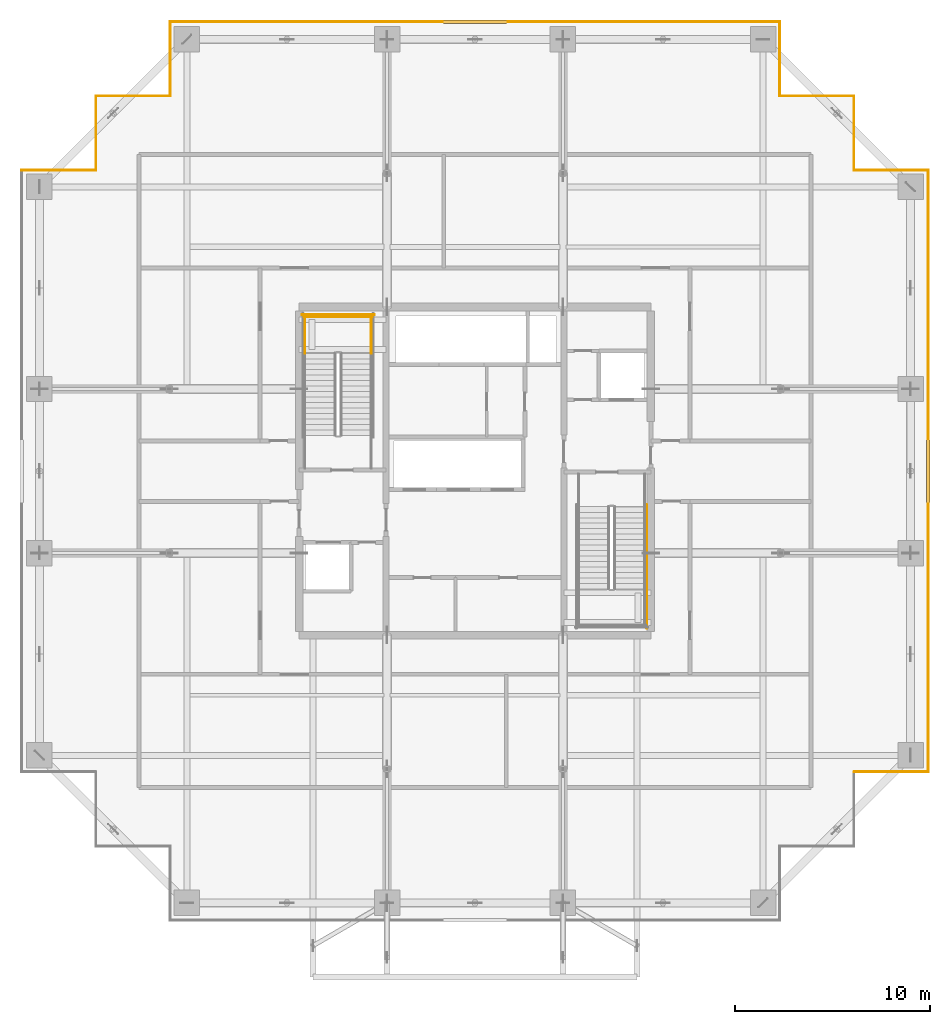
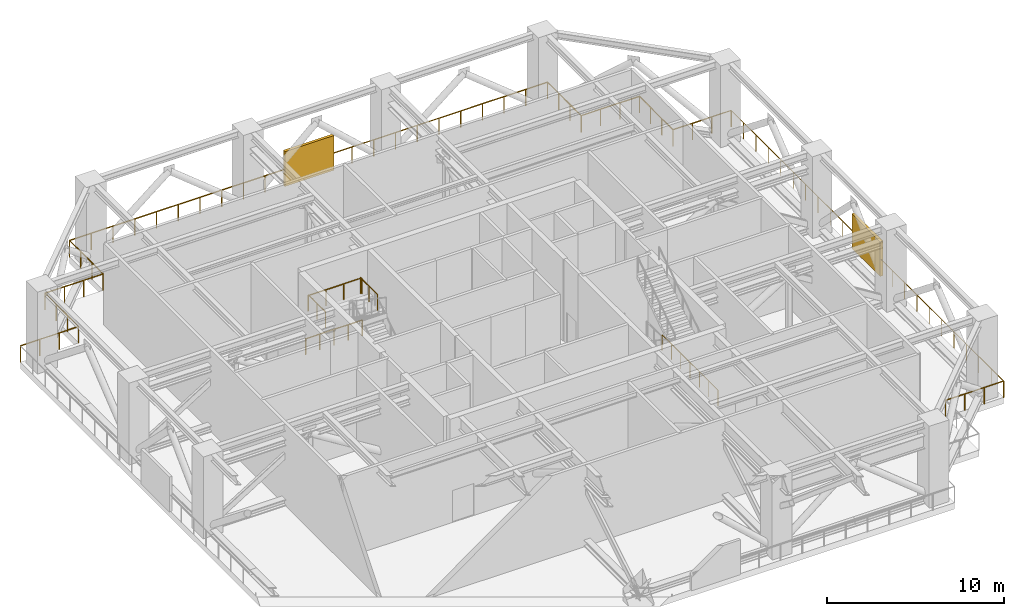
# One storey, part 22 of 22: 16 railings, 2 shading devices.
"""IFC4 building model written with IfcOpenShell, lengths in metres."""

from ifc_helpers import new_model, si_unit, direction, frame, origin, origin_2d, place, context, subcontext, project, spatial, rectangle, circle, extrude, source, transform, mapped, material, type_object, element, save


model = new_model("IFC4")

# Units and contexts
model_context = context("Model", 3, precision=1e-05, world=origin(), true_north=direction((0.0, 1.0)))
body_context = subcontext(model_context, "Body", "Model", "MODEL_VIEW")
ifc_project = project(units=[si_unit("LENGTHUNIT", "METRE"), si_unit("AREAUNIT", "SQUARE_METRE"), si_unit("VOLUMEUNIT", "CUBIC_METRE"), si_unit("PLANEANGLEUNIT", "RADIAN"), si_unit("MASSUNIT", "GRAM", prefix="KILO")], contexts=[model_context])

# Site, building, storey
site_placement = place(None, origin())
site = spatial("IfcSite", under=ifc_project, at=site_placement, CompositionType="ELEMENT")
building_placement = place(site_placement, origin())
building = spatial("IfcBuilding", under=site, at=building_placement, Name="Serunith Strait Residences", CompositionType="ELEMENT")
storey_placement = place(building_placement, frame((0.0, 0.0, 198.89990234375)))
storey = spatial("IfcBuildingStorey", under=building, at=storey_placement, Name="L50", CompositionType="ELEMENT", Elevation=198.89990234375)

# Railings
ifc_material_1 = material(Name="Brushed stainless steel 316L", Category="steel")
railing_type_1 = type_object("IfcRailingType", Name="RLG-STAIR-GUARD", PredefinedType="BALUSTRADE", material=ifc_material_1)
for number, where, name in (
    (1, (27.10009765625, 31.22998046875, 3.0), "L50 ST-1 stair guard 3"),
    (2, (23.699951171875, 31.22998046875, 3.0), "L50 ST-1 stair guard 4"),
):
    element("IfcRailing", number, at=place(storey_placement, frame(where)), inside=storey, type_object=railing_type_1, Name=name, PredefinedType="BALUSTRADE", context=body_context, shape_type="SweptSolid", body=[
        extrude(circle(Radius=0.02392578125, at=origin_2d()), frame((0.0, 0.001953125, 1.076171875), z_axis=(0.0, 1.0, 0.0), x_axis=(-1.0, 0.0, 0.0)), (0.0, 0.0, 1.0), 1.916015625),
        extrude(circle(Radius=0.02099609375, at=origin_2d()), origin(), (0.0, 0.0, 1.0), 1.050048828125),
        extrude(circle(Radius=0.02099609375, at=origin_2d()), frame((0.0, 0.9599609375, 0.0)), (0.0, 0.0, 1.0), 1.050048828125),
        extrude(circle(Radius=0.02099609375, at=origin_2d()), frame((0.0, 1.919921875, 0.0)), (0.0, 0.0, 1.0), 1.050048828125),
    ])
railing_1_placement = place(storey_placement, frame((27.14990234375, 33.10009765625, 3.0)))
element("IfcRailing", 3, at=railing_1_placement, inside=storey, type_object=railing_type_1, Name="L50 ST-1 stair guard 5", PredefinedType="BALUSTRADE", context=body_context, shape_type="SweptSolid", body=[
    extrude(circle(Radius=0.02392578125, at=origin_2d()), frame((-0.001953125, 0.0, 1.076171875), z_axis=(-1.0, 0.0, 0.0), x_axis=(0.0, -1.0, 0.0)), (0.0, 0.0, 1.0), 3.49609375),
    extrude(circle(Radius=0.02099609375, at=origin_2d()), origin(), (0.0, 0.0, 1.0), 1.050048828125),
    extrude(circle(Radius=0.02099609375, at=origin_2d()), frame((-1.166748046875, 0.0, 0.0)), (0.0, 0.0, 1.0), 1.050048828125),
    extrude(circle(Radius=0.02099609375, at=origin_2d()), frame((-2.333251953125, 0.0, 0.0)), (0.0, 0.0, 1.0), 1.050048828125),
    extrude(circle(Radius=0.02099609375, at=origin_2d()), frame((-3.5, 0.0, 0.0)), (0.0, 0.0, 1.0), 1.050048828125),
])
railing_2_placement = place(storey_placement, frame((27.25, 33.199951171875, 0.0)))
element("IfcRailing", 4, at=railing_2_placement, inside=storey, type_object=railing_type_1, Name="L50 ST-1 stair guard 12", PredefinedType="BALUSTRADE", context=body_context, shape_type="SweptSolid", body=[
    extrude(circle(Radius=0.02392578125, at=origin_2d()), frame((-0.001953125, 0.0, 1.076171875), z_axis=(-1.0, 0.0, 0.0), x_axis=(0.0, -1.0, 0.0)), (0.0, 0.0, 1.0), 3.696044921875),
    extrude(circle(Radius=0.02099609375, at=origin_2d()), origin(), (0.0, 0.0, 1.0), 1.050048828125),
    extrude(circle(Radius=0.02099609375, at=origin_2d()), frame((-0.925048828125, 0.0, 0.0)), (0.0, 0.0, 1.0), 1.050048828125),
    extrude(circle(Radius=0.02099609375, at=origin_2d()), frame((-1.85009765625, 0.0, 0.0)), (0.0, 0.0, 1.0), 1.050048828125),
    extrude(circle(Radius=0.02099609375, at=origin_2d()), frame((-2.77490234375, 0.0, 0.0)), (0.0, 0.0, 1.0), 1.050048828125),
    extrude(circle(Radius=0.02099609375, at=origin_2d()), frame((-3.699951171875, 0.0, 0.0)), (0.0, 0.0, 1.0), 1.050048828125),
])
railing_3_placement = place(storey_placement, frame((41.199951171875, 23.469970703125, 0.0)))
element("IfcRailing", 5, at=railing_3_placement, inside=storey, type_object=railing_type_1, Name="L50 ST-2 stair guard 11", PredefinedType="BALUSTRADE", context=body_context, shape_type="SweptSolid", body=[
    extrude(circle(Radius=0.02392578125, at=origin_2d()), frame((0.0, -0.001953125, 1.076171875), z_axis=(0.0, -1.0, 0.0), x_axis=(1.0, 0.0, 0.0)), (0.0, 0.0, 1.0), 6.316162109375),
    extrude(circle(Radius=0.02099609375, at=origin_2d()), origin(), (0.0, 0.0, 1.0), 1.050048828125),
    extrude(circle(Radius=0.02099609375, at=origin_2d()), frame((0.0, -1.05322265625, 0.0)), (0.0, 0.0, 1.0), 1.050048828125),
    extrude(circle(Radius=0.02099609375, at=origin_2d()), frame((0.0, -2.106689453125, 0.0)), (0.0, 0.0, 1.0), 1.050048828125),
    extrude(circle(Radius=0.02099609375, at=origin_2d()), frame((0.0, -3.16015625, 0.0)), (0.0, 0.0, 1.0), 1.050048828125),
    extrude(circle(Radius=0.02099609375, at=origin_2d()), frame((0.0, -4.21337890625, 0.0)), (0.0, 0.0, 1.0), 1.050048828125),
    extrude(circle(Radius=0.02099609375, at=origin_2d()), frame((0.0, -5.2666015625, 0.0)), (0.0, 0.0, 1.0), 1.050048828125),
    extrude(circle(Radius=0.02099609375, at=origin_2d()), frame((0.0, -6.320068359375, 0.0)), (0.0, 0.0, 1.0), 1.050048828125),
])
ifc_material_2 = material(Name="Anodised Aluminium Wind-Floor Safety Guard", Category="aluminium")
railing_type_2 = type_object("IfcRailingType", Name="RLG-WIND-1150", PredefinedType="BALUSTRADE", material=ifc_material_2)
railing_4_placement = place(storey_placement, frame((51.800048828125, 9.800048828125, 0.0)))
element("IfcRailing", 6, at=railing_4_placement, inside=storey, type_object=railing_type_2, Name="L50 Porous Wind-Floor Safety Balustrade 05", PredefinedType="BALUSTRADE", context=body_context, shape_type="SweptSolid", body=[
    extrude(circle(Radius=0.02392578125, at=origin_2d()), frame((0.001953125, 0.0, 1.1259765625), z_axis=(1.0, 0.0, 0.0), x_axis=(0.0, 1.0, 0.0)), (0.0, 0.0, 1.0), 3.796142578125),
    extrude(circle(Radius=0.02099609375, at=origin_2d()), origin(), (0.0, 0.0, 1.0), 1.099853515625),
    extrude(circle(Radius=0.02099609375, at=origin_2d()), frame((1.2666015625, 0.0, 0.0)), (0.0, 0.0, 1.0), 1.099853515625),
    extrude(circle(Radius=0.02099609375, at=origin_2d()), frame((2.533447265625, 0.0, 0.0)), (0.0, 0.0, 1.0), 1.099853515625),
    extrude(circle(Radius=0.02099609375, at=origin_2d()), frame((3.800048828125, 0.0, 0.0)), (0.0, 0.0, 1.0), 1.099853515625),
])
railing_5_placement = place(storey_placement, frame((55.60009765625, 9.800048828125, 0.0)))
element("IfcRailing", 7, at=railing_5_placement, inside=storey, type_object=railing_type_2, Name="L50 Porous Wind-Floor Safety Balustrade 06", PredefinedType="BALUSTRADE", context=body_context, shape_type="SweptSolid", body=[
    extrude(circle(Radius=0.02392578125, at=origin_2d()), frame((0.0, 0.001953125, 1.1259765625), z_axis=(0.0, 1.0, 0.0), x_axis=(-1.0, 0.0, 0.0)), (0.0, 0.0, 1.0), 30.796142578125),
    extrude(circle(Radius=0.02099609375, at=origin_2d()), origin(), (0.0, 0.0, 1.0), 1.099853515625),
    extrude(circle(Radius=0.02099609375, at=origin_2d()), frame((0.0, 1.39990234375, 0.0)), (0.0, 0.0, 1.0), 1.099853515625),
    extrude(circle(Radius=0.02099609375, at=origin_2d()), frame((0.0, 2.800048828125, 0.0)), (0.0, 0.0, 1.0), 1.099853515625),
    extrude(circle(Radius=0.02099609375, at=origin_2d()), frame((0.0, 4.199951171875, 0.0)), (0.0, 0.0, 1.0), 1.099853515625),
    extrude(circle(Radius=0.02099609375, at=origin_2d()), frame((0.0, 5.60009765625, 0.0)), (0.0, 0.0, 1.0), 1.099853515625),
    extrude(circle(Radius=0.02099609375, at=origin_2d()), frame((0.0, 7.0, 0.0)), (0.0, 0.0, 1.0), 1.099853515625),
    extrude(circle(Radius=0.02099609375, at=origin_2d()), frame((0.0, 8.39990234375, 0.0)), (0.0, 0.0, 1.0), 1.099853515625),
    extrude(circle(Radius=0.02099609375, at=origin_2d()), frame((0.0, 9.800048828125, 0.0)), (0.0, 0.0, 1.0), 1.099853515625),
    extrude(circle(Radius=0.02099609375, at=origin_2d()), frame((0.0, 11.199951171875, 0.0)), (0.0, 0.0, 1.0), 1.099853515625),
    extrude(circle(Radius=0.02099609375, at=origin_2d()), frame((0.0, 12.60009765625, 0.0)), (0.0, 0.0, 1.0), 1.099853515625),
    extrude(circle(Radius=0.02099609375, at=origin_2d()), frame((0.0, 14.0, 0.0)), (0.0, 0.0, 1.0), 1.099853515625),
    extrude(circle(Radius=0.02099609375, at=origin_2d()), frame((0.0, 15.39990234375, 0.0)), (0.0, 0.0, 1.0), 1.099853515625),
    extrude(circle(Radius=0.02099609375, at=origin_2d()), frame((0.0, 16.800048828125, 0.0)), (0.0, 0.0, 1.0), 1.099853515625),
    extrude(circle(Radius=0.02099609375, at=origin_2d()), frame((0.0, 18.199951171875, 0.0)), (0.0, 0.0, 1.0), 1.099853515625),
    extrude(circle(Radius=0.02099609375, at=origin_2d()), frame((0.0, 19.60009765625, 0.0)), (0.0, 0.0, 1.0), 1.099853515625),
    extrude(circle(Radius=0.02099609375, at=origin_2d()), frame((0.0, 21.0, 0.0)), (0.0, 0.0, 1.0), 1.099853515625),
    extrude(circle(Radius=0.02099609375, at=origin_2d()), frame((0.0, 22.400146484375, 0.0)), (0.0, 0.0, 1.0), 1.099853515625),
    extrude(circle(Radius=0.02099609375, at=origin_2d()), frame((0.0, 23.800048828125, 0.0)), (0.0, 0.0, 1.0), 1.099853515625),
    extrude(circle(Radius=0.02099609375, at=origin_2d()), frame((0.0, 25.199951171875, 0.0)), (0.0, 0.0, 1.0), 1.099853515625),
    extrude(circle(Radius=0.02099609375, at=origin_2d()), frame((0.0, 26.60009765625, 0.0)), (0.0, 0.0, 1.0), 1.099853515625),
    extrude(circle(Radius=0.02099609375, at=origin_2d()), frame((0.0, 28.0, 0.0)), (0.0, 0.0, 1.0), 1.099853515625),
    extrude(circle(Radius=0.02099609375, at=origin_2d()), frame((0.0, 29.400146484375, 0.0)), (0.0, 0.0, 1.0), 1.099853515625),
    extrude(circle(Radius=0.02099609375, at=origin_2d()), frame((0.0, 30.800048828125, 0.0)), (0.0, 0.0, 1.0), 1.099853515625),
])
railing_6_placement = place(storey_placement, frame((55.60009765625, 40.60009765625, 0.0)))
element("IfcRailing", 8, at=railing_6_placement, inside=storey, type_object=railing_type_2, Name="L50 Porous Wind-Floor Safety Balustrade 07", PredefinedType="BALUSTRADE", context=body_context, shape_type="SweptSolid", body=[
    extrude(circle(Radius=0.02392578125, at=origin_2d()), frame((-0.001953125, 0.0, 1.1259765625), z_axis=(-1.0, 0.0, 0.0), x_axis=(0.0, -1.0, 0.0)), (0.0, 0.0, 1.0), 3.796142578125),
    extrude(circle(Radius=0.02099609375, at=origin_2d()), origin(), (0.0, 0.0, 1.0), 1.099853515625),
    extrude(circle(Radius=0.02099609375, at=origin_2d()), frame((-1.2666015625, 0.0, 0.0)), (0.0, 0.0, 1.0), 1.099853515625),
    extrude(circle(Radius=0.02099609375, at=origin_2d()), frame((-2.533447265625, 0.0, 0.0)), (0.0, 0.0, 1.0), 1.099853515625),
    extrude(circle(Radius=0.02099609375, at=origin_2d()), frame((-3.800048828125, 0.0, 0.0)), (0.0, 0.0, 1.0), 1.099853515625),
])
railing_7_placement = place(storey_placement, frame((51.800048828125, 40.60009765625, 0.0)))
element("IfcRailing", 9, at=railing_7_placement, inside=storey, type_object=railing_type_2, Name="L50 Porous Wind-Floor Safety Balustrade 08", PredefinedType="BALUSTRADE", context=body_context, shape_type="SweptSolid", body=[
    extrude(circle(Radius=0.02392578125, at=origin_2d()), frame((0.0, 0.001953125, 1.1259765625), z_axis=(0.0, 1.0, 0.0), x_axis=(-1.0, 0.0, 0.0)), (0.0, 0.0, 1.0), 3.7958984375),
    extrude(circle(Radius=0.02099609375, at=origin_2d()), origin(), (0.0, 0.0, 1.0), 1.099853515625),
    extrude(circle(Radius=0.02099609375, at=origin_2d()), frame((0.0, 1.2666015625, 0.0)), (0.0, 0.0, 1.0), 1.099853515625),
    extrude(circle(Radius=0.02099609375, at=origin_2d()), frame((0.0, 2.533203125, 0.0)), (0.0, 0.0, 1.0), 1.099853515625),
    extrude(circle(Radius=0.02099609375, at=origin_2d()), frame((0.0, 3.7998046875, 0.0)), (0.0, 0.0, 1.0), 1.099853515625),
])
railing_8_placement = place(storey_placement, frame((51.800048828125, 44.39990234375, 0.0)))
element("IfcRailing", 10, at=railing_8_placement, inside=storey, type_object=railing_type_2, Name="L50 Porous Wind-Floor Safety Balustrade 09", PredefinedType="BALUSTRADE", context=body_context, shape_type="SweptSolid", body=[
    extrude(circle(Radius=0.02392578125, at=origin_2d()), frame((-0.001953125, 0.0, 1.1259765625), z_axis=(-1.0, 0.0, 0.0), x_axis=(0.0, -1.0, 0.0)), (0.0, 0.0, 1.0), 3.796142578125),
    extrude(circle(Radius=0.02099609375, at=origin_2d()), origin(), (0.0, 0.0, 1.0), 1.099853515625),
    extrude(circle(Radius=0.02099609375, at=origin_2d()), frame((-1.2666015625, 0.0, 0.0)), (0.0, 0.0, 1.0), 1.099853515625),
    extrude(circle(Radius=0.02099609375, at=origin_2d()), frame((-2.533447265625, 0.0, 0.0)), (0.0, 0.0, 1.0), 1.099853515625),
    extrude(circle(Radius=0.02099609375, at=origin_2d()), frame((-3.800048828125, 0.0, 0.0)), (0.0, 0.0, 1.0), 1.099853515625),
])
railing_9_placement = place(storey_placement, frame((48.0, 44.39990234375, 0.0)))
element("IfcRailing", 11, at=railing_9_placement, inside=storey, type_object=railing_type_2, Name="L50 Porous Wind-Floor Safety Balustrade 10", PredefinedType="BALUSTRADE", context=body_context, shape_type="SweptSolid", body=[
    extrude(circle(Radius=0.02392578125, at=origin_2d()), frame((0.0, 0.001953125, 1.1259765625), z_axis=(0.0, 1.0, 0.0), x_axis=(-1.0, 0.0, 0.0)), (0.0, 0.0, 1.0), 3.796142578125),
    extrude(circle(Radius=0.02099609375, at=origin_2d()), origin(), (0.0, 0.0, 1.0), 1.099853515625),
    extrude(circle(Radius=0.02099609375, at=origin_2d()), frame((0.0, 1.2666015625, 0.0)), (0.0, 0.0, 1.0), 1.099853515625),
    extrude(circle(Radius=0.02099609375, at=origin_2d()), frame((0.0, 2.533447265625, 0.0)), (0.0, 0.0, 1.0), 1.099853515625),
    extrude(circle(Radius=0.02099609375, at=origin_2d()), frame((0.0, 3.800048828125, 0.0)), (0.0, 0.0, 1.0), 1.099853515625),
])
railing_10_placement = place(storey_placement, frame((48.0, 48.199951171875, 0.0)))
element("IfcRailing", 12, at=railing_10_placement, inside=storey, type_object=railing_type_2, Name="L50 Porous Wind-Floor Safety Balustrade 11", PredefinedType="BALUSTRADE", context=body_context, shape_type="SweptSolid", body=[
    extrude(circle(Radius=0.02392578125, at=origin_2d()), frame((-0.001953125, 0.0, 1.1259765625), z_axis=(-1.0, 0.0, 0.0), x_axis=(0.0, -1.0, 0.0)), (0.0, 0.0, 1.0), 31.196044921875),
    extrude(circle(Radius=0.02099609375, at=origin_2d()), origin(), (0.0, 0.0, 1.0), 1.099853515625),
    extrude(circle(Radius=0.02099609375, at=origin_2d()), frame((-1.418212890625, 0.0, 0.0)), (0.0, 0.0, 1.0), 1.099853515625),
    extrude(circle(Radius=0.02099609375, at=origin_2d()), frame((-2.83642578125, 0.0, 0.0)), (0.0, 0.0, 1.0), 1.099853515625),
    extrude(circle(Radius=0.02099609375, at=origin_2d()), frame((-4.254638671875, 0.0, 0.0)), (0.0, 0.0, 1.0), 1.099853515625),
    extrude(circle(Radius=0.02099609375, at=origin_2d()), frame((-5.672607421875, 0.0, 0.0)), (0.0, 0.0, 1.0), 1.099853515625),
    extrude(circle(Radius=0.02099609375, at=origin_2d()), frame((-7.0908203125, 0.0, 0.0)), (0.0, 0.0, 1.0), 1.099853515625),
    extrude(circle(Radius=0.02099609375, at=origin_2d()), frame((-8.509033203125, 0.0, 0.0)), (0.0, 0.0, 1.0), 1.099853515625),
    extrude(circle(Radius=0.02099609375, at=origin_2d()), frame((-9.92724609375, 0.0, 0.0)), (0.0, 0.0, 1.0), 1.099853515625),
    extrude(circle(Radius=0.02099609375, at=origin_2d()), frame((-11.345458984375, 0.0, 0.0)), (0.0, 0.0, 1.0), 1.099853515625),
    extrude(circle(Radius=0.02099609375, at=origin_2d()), frame((-12.763671875, 0.0, 0.0)), (0.0, 0.0, 1.0), 1.099853515625),
    extrude(circle(Radius=0.02099609375, at=origin_2d()), frame((-14.181884765625, 0.0, 0.0)), (0.0, 0.0, 1.0), 1.099853515625),
    extrude(circle(Radius=0.02099609375, at=origin_2d()), frame((-15.60009765625, 0.0, 0.0)), (0.0, 0.0, 1.0), 1.099853515625),
    extrude(circle(Radius=0.02099609375, at=origin_2d()), frame((-17.01806640625, 0.0, 0.0)), (0.0, 0.0, 1.0), 1.099853515625),
    extrude(circle(Radius=0.02099609375, at=origin_2d()), frame((-18.436279296875, 0.0, 0.0)), (0.0, 0.0, 1.0), 1.099853515625),
    extrude(circle(Radius=0.02099609375, at=origin_2d()), frame((-19.8544921875, 0.0, 0.0)), (0.0, 0.0, 1.0), 1.099853515625),
    extrude(circle(Radius=0.02099609375, at=origin_2d()), frame((-21.272705078125, 0.0, 0.0)), (0.0, 0.0, 1.0), 1.099853515625),
    extrude(circle(Radius=0.02099609375, at=origin_2d()), frame((-22.69091796875, 0.0, 0.0)), (0.0, 0.0, 1.0), 1.099853515625),
    extrude(circle(Radius=0.02099609375, at=origin_2d()), frame((-24.109130859375, 0.0, 0.0)), (0.0, 0.0, 1.0), 1.099853515625),
    extrude(circle(Radius=0.02099609375, at=origin_2d()), frame((-25.52734375, 0.0, 0.0)), (0.0, 0.0, 1.0), 1.099853515625),
    extrude(circle(Radius=0.02099609375, at=origin_2d()), frame((-26.9453125, 0.0, 0.0)), (0.0, 0.0, 1.0), 1.099853515625),
    extrude(circle(Radius=0.02099609375, at=origin_2d()), frame((-28.363525390625, 0.0, 0.0)), (0.0, 0.0, 1.0), 1.099853515625),
    extrude(circle(Radius=0.02099609375, at=origin_2d()), frame((-29.78173828125, 0.0, 0.0)), (0.0, 0.0, 1.0), 1.099853515625),
    extrude(circle(Radius=0.02099609375, at=origin_2d()), frame((-31.199951171875, 0.0, 0.0)), (0.0, 0.0, 1.0), 1.099853515625),
])
railing_11_placement = place(storey_placement, frame((16.800048828125, 48.199951171875, 0.0)))
element("IfcRailing", 13, at=railing_11_placement, inside=storey, type_object=railing_type_2, Name="L50 Porous Wind-Floor Safety Balustrade 12", PredefinedType="BALUSTRADE", context=body_context, shape_type="SweptSolid", body=[
    extrude(circle(Radius=0.02392578125, at=origin_2d()), frame((0.0, -0.001953125, 1.1259765625), z_axis=(0.0, -1.0, 0.0), x_axis=(1.0, 0.0, 0.0)), (0.0, 0.0, 1.0), 3.796142578125),
    extrude(circle(Radius=0.02099609375, at=origin_2d()), origin(), (0.0, 0.0, 1.0), 1.099853515625),
    extrude(circle(Radius=0.02099609375, at=origin_2d()), frame((0.0, -1.2666015625, 0.0)), (0.0, 0.0, 1.0), 1.099853515625),
    extrude(circle(Radius=0.02099609375, at=origin_2d()), frame((0.0, -2.533447265625, 0.0)), (0.0, 0.0, 1.0), 1.099853515625),
    extrude(circle(Radius=0.02099609375, at=origin_2d()), frame((0.0, -3.800048828125, 0.0)), (0.0, 0.0, 1.0), 1.099853515625),
])
railing_12_placement = place(storey_placement, frame((16.800048828125, 44.39990234375, 0.0)))
element("IfcRailing", 14, at=railing_12_placement, inside=storey, type_object=railing_type_2, Name="L50 Porous Wind-Floor Safety Balustrade 13", PredefinedType="BALUSTRADE", context=body_context, shape_type="SweptSolid", body=[
    extrude(circle(Radius=0.02392578125, at=origin_2d()), frame((-0.001953125, 0.0, 1.1259765625), z_axis=(-1.0, 0.0, 0.0), x_axis=(0.0, -1.0, 0.0)), (0.0, 0.0, 1.0), 3.796142578125),
    extrude(circle(Radius=0.02099609375, at=origin_2d()), origin(), (0.0, 0.0, 1.0), 1.099853515625),
    extrude(circle(Radius=0.02099609375, at=origin_2d()), frame((-1.2666015625, 0.0, 0.0)), (0.0, 0.0, 1.0), 1.099853515625),
    extrude(circle(Radius=0.02099609375, at=origin_2d()), frame((-2.533447265625, 0.0, 0.0)), (0.0, 0.0, 1.0), 1.099853515625),
    extrude(circle(Radius=0.02099609375, at=origin_2d()), frame((-3.800048828125, 0.0, 0.0)), (0.0, 0.0, 1.0), 1.099853515625),
])
railing_13_placement = place(storey_placement, frame((13.0, 44.39990234375, 0.0)))
element("IfcRailing", 15, at=railing_13_placement, inside=storey, type_object=railing_type_2, Name="L50 Porous Wind-Floor Safety Balustrade 14", PredefinedType="BALUSTRADE", context=body_context, shape_type="SweptSolid", body=[
    extrude(circle(Radius=0.02392578125, at=origin_2d()), frame((0.0, -0.001953125, 1.1259765625), z_axis=(0.0, -1.0, 0.0), x_axis=(1.0, 0.0, 0.0)), (0.0, 0.0, 1.0), 3.7958984375),
    extrude(circle(Radius=0.02099609375, at=origin_2d()), origin(), (0.0, 0.0, 1.0), 1.099853515625),
    extrude(circle(Radius=0.02099609375, at=origin_2d()), frame((0.0, -1.2666015625, 0.0)), (0.0, 0.0, 1.0), 1.099853515625),
    extrude(circle(Radius=0.02099609375, at=origin_2d()), frame((0.0, -2.533203125, 0.0)), (0.0, 0.0, 1.0), 1.099853515625),
    extrude(circle(Radius=0.02099609375, at=origin_2d()), frame((0.0, -3.7998046875, 0.0)), (0.0, 0.0, 1.0), 1.099853515625),
])
railing_14_placement = place(storey_placement, frame((13.0, 40.60009765625, 0.0)))
element("IfcRailing", 16, at=railing_14_placement, inside=storey, type_object=railing_type_2, Name="L50 Porous Wind-Floor Safety Balustrade 15", PredefinedType="BALUSTRADE", context=body_context, shape_type="SweptSolid", body=[
    extrude(circle(Radius=0.02392578125, at=origin_2d()), frame((-0.001953125, 0.0, 1.1259765625), z_axis=(-1.0, 0.0, 0.0), x_axis=(0.0, -1.0, 0.0)), (0.0, 0.0, 1.0), 3.796142578125),
    extrude(circle(Radius=0.02099609375, at=origin_2d()), origin(), (0.0, 0.0, 1.0), 1.099853515625),
    extrude(circle(Radius=0.02099609375, at=origin_2d()), frame((-1.2666015625, 0.0, 0.0)), (0.0, 0.0, 1.0), 1.099853515625),
    extrude(circle(Radius=0.02099609375, at=origin_2d()), frame((-2.533447265625, 0.0, 0.0)), (0.0, 0.0, 1.0), 1.099853515625),
    extrude(circle(Radius=0.02099609375, at=origin_2d()), frame((-3.800048828125, 0.0, 0.0)), (0.0, 0.0, 1.0), 1.099853515625),
])

# Shading devices
ifc_material_3 = material(Name="Anodised Aluminium Acoustic Storm Louvre", Category="aluminium")
shading_device_type = type_object("IfcShadingDeviceType", Name="SHD-WIND-LOUV", PredefinedType="JALOUSIE", material=ifc_material_3)
shared_shape = source(origin(), body_context, "Body", "SweptSolid", [
    extrude(rectangle(XDim=3.199951171875, YDim=0.179931640625, at=origin_2d()), origin(), (0.0, 0.0, 1.0), 2.39990234375),
])
for number, where, z_axis, x_axis, name in (
    (17, (55.60009765625, 25.199951171875, 0.000244140625), (0.0, 0.0, 1.0), (0.0, 1.0, 0.0), "L50 Acoustic Wind-Floor Louvre E"),
    (18, (32.39990234375, 48.199951171875, 0.000244140625), (0.0, 0.0, 1.0), (1.0, 0.0, 0.0), "L50 Acoustic Wind-Floor Louvre N"),
):
    element("IfcShadingDevice", number, at=place(storey_placement, frame(where, z_axis=z_axis, x_axis=x_axis)), inside=storey, type_object=shading_device_type, Name=name, PredefinedType="JALOUSIE", context=body_context, shape_type="MappedRepresentation", body=[
        mapped(shared_shape, transform((0.0, 0.0, 0.0), scale=1.0)),
    ])

save(model, "model.ifc")
